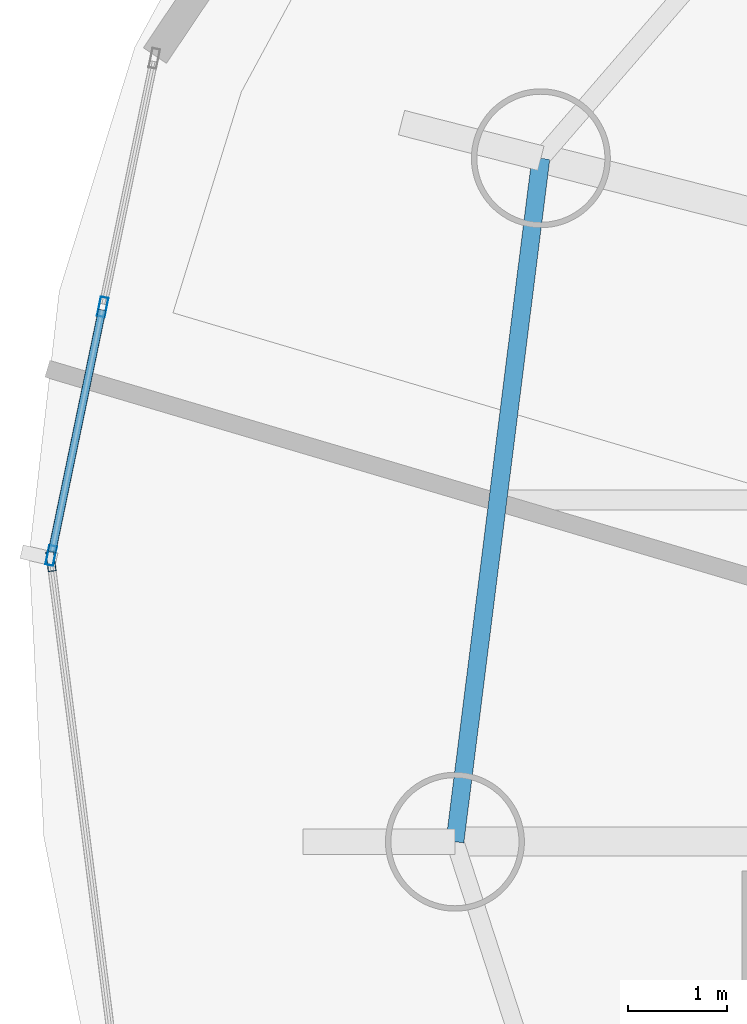
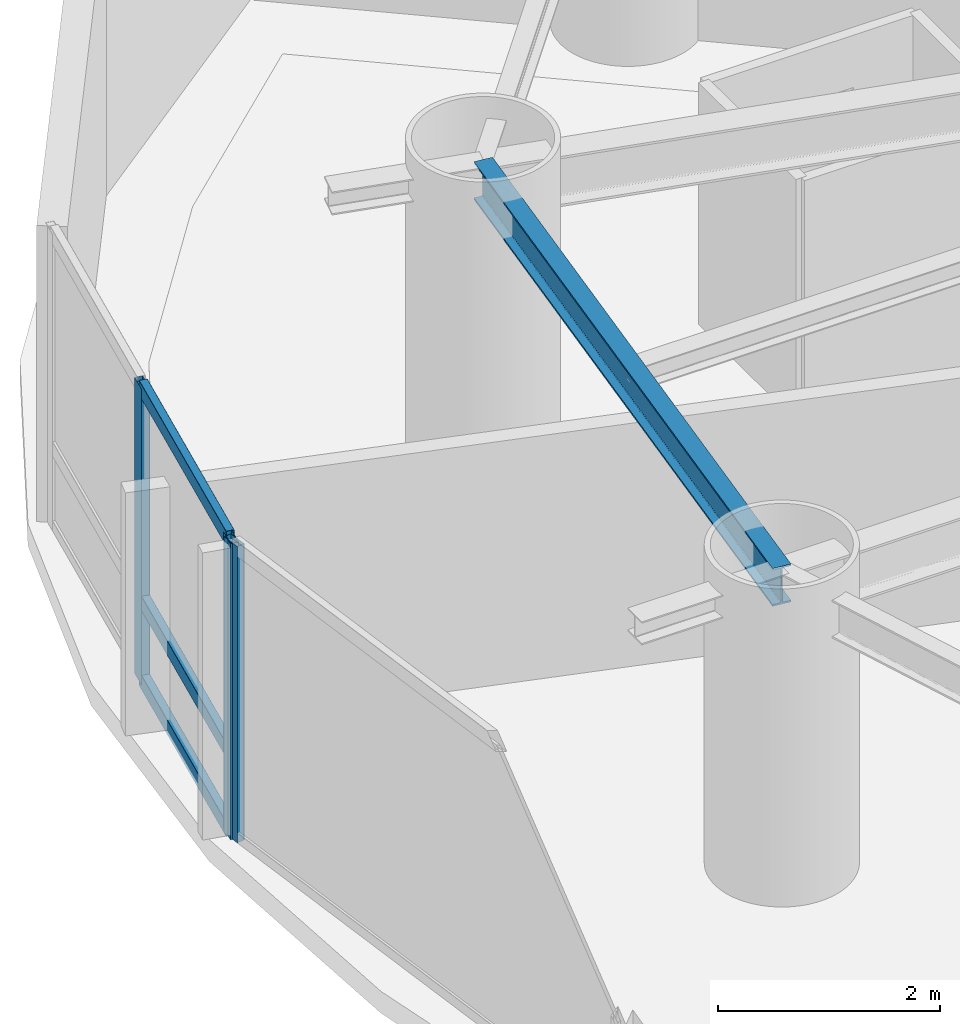
# One storey, part 6 of 26: 6 members, 1 beam, 2 elements without a shape of their own.
"""IFC4 building model written with IfcOpenShell, lengths in metres."""

from ifc_helpers import new_model, si_unit, direction, frame, origin, origin_2d, place, context, subcontext, project, spatial, hollow_rectangle, i_section, extrude, material, layer, layer_set, material_profile, profile_set, type_object, element, aggregate, save


model = new_model("IFC4")

# Units and contexts
model_context = context("Model", 3, precision=1e-05, world=origin(), true_north=direction((0.0, 1.0)))
body_context = subcontext(model_context, "Body", "Model", "MODEL_VIEW")
ifc_project = project(units=[si_unit("LENGTHUNIT", "METRE"), si_unit("AREAUNIT", "SQUARE_METRE"), si_unit("VOLUMEUNIT", "CUBIC_METRE"), si_unit("PLANEANGLEUNIT", "RADIAN"), si_unit("MASSUNIT", "GRAM", prefix="KILO")], contexts=[model_context])

# Site, building, storey
site_placement = place(None, origin())
site = spatial("IfcSite", under=ifc_project, at=site_placement, CompositionType="ELEMENT")
building_placement = place(site_placement, origin())
building = spatial("IfcBuilding", under=site, at=building_placement, Name="Bramvorn Convention Spire", CompositionType="ELEMENT")
storey_placement = place(building_placement, frame((0.0, 0.0, 123.800048828125)))
storey = spatial("IfcBuildingStorey", under=building, at=storey_placement, Name="L30", CompositionType="ELEMENT", Elevation=123.800048828125)

# Beam
ifc_material_1 = material(Name="Steel CSA G40.21 Grade 350 (350W)", Category="steel")
ifc_material_profile_1 = material_profile(ifc_material_1, i_section(OverallWidth=0.180908203125, OverallDepth=0.4169921875, WebThickness=0.010986328125, FlangeThickness=0.018310546875, FilletRadius=0.01611328125, at=origin_2d()))
ifc_profile_set_1 = profile_set([ifc_material_profile_1], Name="Steel CSA G40.21 Grade 350 (350W) - W410X85")
beam_type = type_object("IfcBeamType", Name="BM-W410X85", PredefinedType="JOIST", material=ifc_profile_set_1)
beam_placement = place(storey_placement, frame((13.88232421875, 36.73779296875, 3.051513671875), z_axis=(-0.124775053879, -0.992185056292, 0.0), x_axis=(0.992185056292, -0.124775053879, 0.0)))
element("IfcBeam", 1, at=beam_placement, inside=storey, type_object=beam_type, Name="L30 mega-column ring beam 09", PredefinedType="JOIST", context=body_context, shape_type="SweptSolid", body=[
    extrude(i_section(OverallWidth=0.180908203125, OverallDepth=0.4169921875, WebThickness=0.010986328125, FlangeThickness=0.018310546875, FilletRadius=0.01611328125, at=origin_2d()), origin(), (0.0, 0.0, 1.0), 6.940185546875),
])

# Curtain wall, members
ifc_material_2 = material(Name="Anodised Bronze Unitised Curtain Wall", Category="aluminium")
ifc_layer = layer(ifc_material_2, 0.179931640625)
ifc_layer_set = layer_set([ifc_layer], Name="Anodised Bronze Unitised Curtain Wall - CW-HTL-FRIT")
curtain_wall_type = type_object("IfcCurtainWallType", Name="CW-HTL-FRIT", PredefinedType="USERDEFINED", material=ifc_layer_set)
curtain_wall_1_placement = place(storey_placement, origin())
curtain_wall_1 = element("IfcCurtainWall", 2, at=curtain_wall_1_placement, inside=storey, type_object=curtain_wall_type, Name="L30 fritted glass curtain wall 13", ObjectType="UNITISED CURTAIN WALL", PredefinedType="USERDEFINED")
ifc_material_3 = material(Name="Anodised Bronze Aluminium 6063-T6", Category="aluminium")
ifc_material_profile_2 = material_profile(ifc_material_3, hollow_rectangle(XDim=0.080078125, YDim=0.199951171875, WallThickness=0.00390625, InnerFilletRadius=0.0009765625, OuterFilletRadius=0.00390625, at=origin_2d()))
ifc_profile_set_2 = profile_set([ifc_material_profile_2], Name="Anodised Bronze Aluminium 6063-T6 - CWM80X200")
member_type_1 = type_object("IfcMemberType", Name="CW-MUL-180", PredefinedType="MULLION", material=ifc_profile_set_2)
member_1_placement = place(storey_placement, frame((8.94873046875, 32.735595703125, 0.0), z_axis=(0.0, 0.0, 1.0), x_axis=(-0.979146025105, 0.203157725724, 0.0)))
member_1 = element("IfcMember", 3, at=member_1_placement, type_object=member_type_1, Name="CW2 mullion 1", PredefinedType="MULLION", context=body_context, shape_type="SweptSolid", body=[
    extrude(hollow_rectangle(XDim=0.080078125, YDim=0.199951171875, WallThickness=0.00390625, InnerFilletRadius=0.0009765625, OuterFilletRadius=0.00390625, at=origin_2d()), origin(), (0.0, 0.0, 1.0), 3.260009765625),
])
member_2_placement = place(storey_placement, frame((9.46826171875, 35.239501953125, 0.0), z_axis=(0.0, 0.0, 1.0), x_axis=(-0.979146025105, 0.203157725724, 0.0)))
member_2 = element("IfcMember", 4, at=member_2_placement, type_object=member_type_1, Name="CW2 mullion 2", PredefinedType="MULLION", context=body_context, shape_type="SweptSolid", body=[
    extrude(hollow_rectangle(XDim=0.080078125, YDim=0.199951171875, WallThickness=0.00390625, InnerFilletRadius=0.0009765625, OuterFilletRadius=0.00390625, at=origin_2d()), origin(), (0.0, 0.0, 1.0), 3.260009765625),
])

# Curtain wall, member
curtain_wall_2_placement = place(storey_placement, origin())
curtain_wall_2 = element("IfcCurtainWall", 5, at=curtain_wall_2_placement, inside=storey, type_object=curtain_wall_type, Name="L30 fritted glass curtain wall 14", ObjectType="UNITISED CURTAIN WALL", PredefinedType="USERDEFINED")
member_3_placement = place(storey_placement, frame((8.9462890625, 32.676513671875, 0.0), z_axis=(0.0, 0.0, 1.0), x_axis=(-0.99202081265, -0.12607421334, 0.0)))
member_3 = element("IfcMember", 6, at=member_3_placement, type_object=member_type_1, Name="CW2 mullion 2", PredefinedType="MULLION", context=body_context, shape_type="SweptSolid", body=[
    extrude(hollow_rectangle(XDim=0.080078125, YDim=0.199951171875, WallThickness=0.00390625, InnerFilletRadius=0.0009765625, OuterFilletRadius=0.00390625, at=origin_2d()), origin(), (0.0, 0.0, 1.0), 3.260009765625),
])
aggregate(curtain_wall_2, [member_3])

# Member
ifc_material_profile_3 = material_profile(ifc_material_3, hollow_rectangle(XDim=0.080078125, YDim=0.159912109375, WallThickness=0.00390625, InnerFilletRadius=0.0009765625, OuterFilletRadius=0.00390625, at=origin_2d()))
ifc_profile_set_3 = profile_set([ifc_material_profile_3], Name="Anodised Bronze Aluminium 6063-T6 - CWT80X160")
member_type_2 = type_object("IfcMemberType", Name="CW-TRN-150", PredefinedType="USERDEFINED", material=ifc_profile_set_3)
member_4_placement = place(storey_placement, frame((8.954833984375, 32.76513671875, 0.030029296875), z_axis=(0.203161633098, 0.979145214377, 0.0), x_axis=(-0.979145214377, 0.203161633098, 0.0)))
member_4 = element("IfcMember", 7, at=member_4_placement, type_object=member_type_2, Name="CW2 transom 1.1", ObjectType="TRANSOM", PredefinedType="USERDEFINED", context=body_context, shape_type="SweptSolid", body=[
    extrude(hollow_rectangle(XDim=0.080078125, YDim=0.159912109375, WallThickness=0.00390625, InnerFilletRadius=0.0009765625, OuterFilletRadius=0.00390625, at=origin_2d()), origin(), (0.0, 0.0, 1.0), 2.4970703125),
])

member_5_placement = place(storey_placement, frame((8.954833984375, 32.76513671875, 0.89990234375), z_axis=(0.203161633098, 0.979145214377, 0.0), x_axis=(-0.979145214377, 0.203161633098, 0.0)))
member_5 = element("IfcMember", 8, at=member_5_placement, type_object=member_type_2, Name="CW2 transom 1.2", ObjectType="TRANSOM", PredefinedType="USERDEFINED", context=body_context, shape_type="SweptSolid", body=[
    extrude(hollow_rectangle(XDim=0.080078125, YDim=0.159912109375, WallThickness=0.00390625, InnerFilletRadius=0.0009765625, OuterFilletRadius=0.00390625, at=origin_2d()), origin(), (0.0, 0.0, 1.0), 2.4970703125),
])

member_6_placement = place(storey_placement, frame((8.954833984375, 32.76513671875, 3.22998046875), z_axis=(0.203161633098, 0.979145214377, 0.0), x_axis=(-0.979145214377, 0.203161633098, 0.0)))
member_6 = element("IfcMember", 9, at=member_6_placement, type_object=member_type_2, Name="CW2 transom 1.3", ObjectType="TRANSOM", PredefinedType="USERDEFINED", context=body_context, shape_type="SweptSolid", body=[
    extrude(hollow_rectangle(XDim=0.080078125, YDim=0.159912109375, WallThickness=0.00390625, InnerFilletRadius=0.0009765625, OuterFilletRadius=0.00390625, at=origin_2d()), origin(), (0.0, 0.0, 1.0), 2.4970703125),
])

aggregate(curtain_wall_1, [member_1, member_2, member_4, member_5, member_6])

save(model, "model.ifc")
